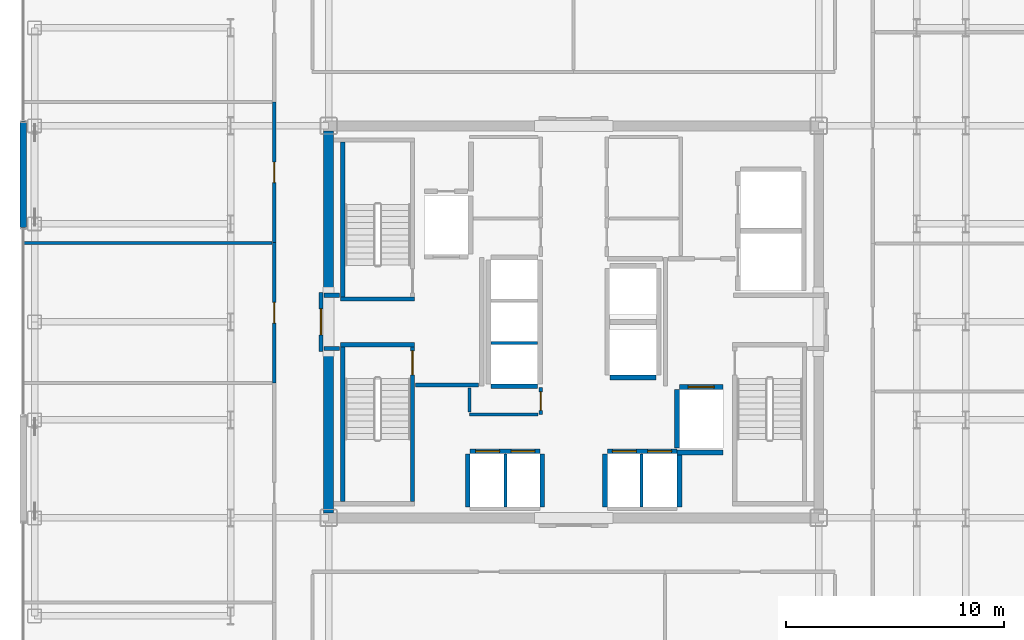
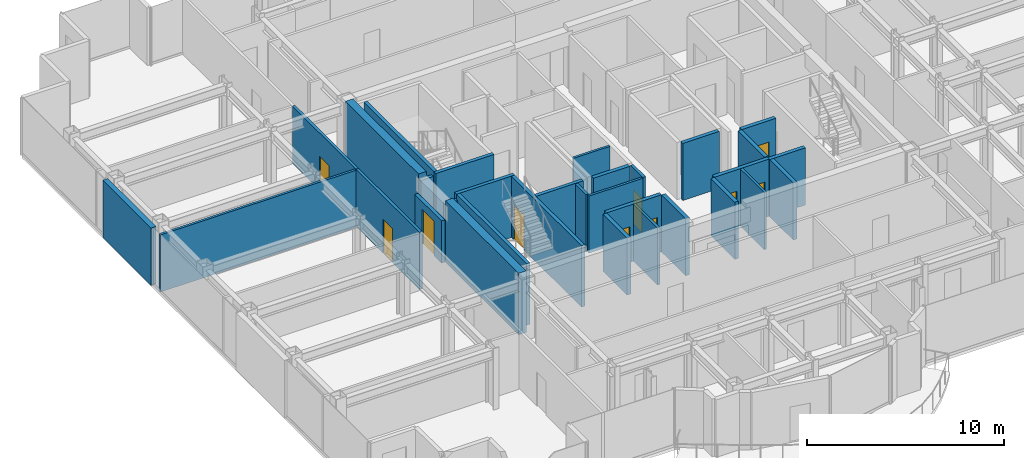
# One storey, part 16 of 22: 32 walls, 10 doors, 10 openings.
"""IFC4 building model written with IfcOpenShell, lengths in metres."""

from ifc_helpers import new_model, si_unit, direction, frame, frame_2d, origin, place, context, subcontext, project, spatial, rectangle, extrude, source, transform, mapped, material, layer, layer_set, type_object, element, fill, save


model = new_model("IFC4")

# Units and contexts
model_context = context("Model", 3, precision=1e-05, world=origin(), true_north=direction((0.0, 1.0)))
body_context = subcontext(model_context, "Body", "Model", "MODEL_VIEW")
ifc_project = project(units=[si_unit("LENGTHUNIT", "METRE"), si_unit("AREAUNIT", "SQUARE_METRE"), si_unit("VOLUMEUNIT", "CUBIC_METRE"), si_unit("PLANEANGLEUNIT", "RADIAN"), si_unit("MASSUNIT", "GRAM", prefix="KILO")], contexts=[model_context])

# Site, building, storey
site_placement = place(None, origin())
site = spatial("IfcSite", under=ifc_project, at=site_placement, CompositionType="ELEMENT")
building_placement = place(site_placement, origin())
building = spatial("IfcBuilding", under=site, at=building_placement, Name="Nefas-Gora Pilgrimage Tower", CompositionType="ELEMENT")
storey_placement = place(building_placement, frame((0.0, 0.0, 218.0)))
storey = spatial("IfcBuildingStorey", under=building, at=storey_placement, Name="L54", CompositionType="ELEMENT", Elevation=218.0)

# Walls
ifc_material_1 = material(Name="Concrete C50/60", Category="concrete")
ifc_layer_1 = layer(ifc_material_1, 0.449951171875)
ifc_layer_set_1 = layer_set([ifc_layer_1], Name="Concrete C50/60")
wall_type_1 = type_object("IfcWallType", Name="SW-CORE-450", PredefinedType="SHEAR", material=ifc_layer_set_1)
shared_shape_1 = source(origin(), body_context, "Body", "SweptSolid", [
    extrude(rectangle(XDim=7.4248046875, YDim=0.449951171875, at=frame_2d((3.71240234375, 0.0))), origin(), (0.0, 0.0, 1.0), 3.800048828125),
])
for number, where, z_axis, x_axis, name in (
    (1, (-11.25, -8.77490234375, 0.0), (0.0, 0.0, 1.0), (0.0, 1.0, 0.0), "L54 Core Shear Wall W-South"),
    (2, (-11.25, 1.35009765625, 0.0), (0.0, 0.0, 1.0), (0.0, 1.0, 0.0), "L54 Core Shear Wall W-North"),
):
    element("IfcWall", number, at=place(storey_placement, frame(where, z_axis=z_axis, x_axis=x_axis)), inside=storey, type_object=wall_type_1, Name=name, PredefinedType="SHEAR", context=body_context, shape_type="MappedRepresentation", body=[
        mapped(shared_shape_1, transform((0.0, 0.0, 0.0), x_axis=(1.0, 0.0, 0.0), y_axis=(0.0, 1.0, 0.0), z_axis=(0.0, 0.0, 1.0), scale=1.0)),
    ])
ifc_material_2 = material(Name="Precast concrete C45/55", Category="concrete")
ifc_layer_2 = layer(ifc_material_2, 0.239990234375)
ifc_layer_set_2 = layer_set([ifc_layer_2], Name="Precast concrete C45/55")
wall_type_2 = type_object("IfcWallType", Name="EW-SERR-240", PredefinedType="SHEAR", material=ifc_layer_set_2)
shared_shape_2 = source(origin(), body_context, "Body", "SweptSolid", [
    extrude(rectangle(XDim=4.8798828125, YDim=0.300048828125, at=frame_2d((2.43994140625, 0.0))), origin(), (0.0, 0.0, 1.0), 3.550048828125),
])
wall_1_placement = place(storey_placement, frame((-25.27001953125, 4.31005859375, 0.0), z_axis=(0.0, 0.0, 1.0), x_axis=(0.0, 1.0, 0.0)))
element("IfcWall", 3, at=wall_1_placement, inside=storey, type_object=wall_type_2, Name="L54 Braced-Tube Precast Shear Cladding 2", PredefinedType="SHEAR", context=body_context, shape_type="MappedRepresentation", body=[
    mapped(shared_shape_2, transform((0.0, 0.0, 0.0), x_axis=(1.0, 0.0, 0.0), y_axis=(0.0, 1.0, 0.0), z_axis=(0.0, 0.0, 1.0), scale=1.0)),
])
ifc_material_3 = material(Name="Concrete C45/55", Category="concrete")
ifc_layer_3 = layer(ifc_material_3, 0.199951171875)
ifc_layer_set_3 = layer_set([ifc_layer_3], Name="Concrete C45/55")
wall_type_3 = type_object("IfcWallType", Name="IW-STAIR-200", PredefinedType="SOLIDWALL", material=ifc_layer_set_3)
shared_shape_3 = source(origin(), body_context, "Body", "SweptSolid", [
    extrude(rectangle(XDim=3.39990234375, YDim=0.199951171875, at=frame_2d((1.699951171875, 0.0))), origin(), (0.0, 0.0, 1.0), 3.800048828125),
])
for number, where, z_axis, x_axis, name in (
    (4, (-7.300048828125, 1.050048828125, 0.0), (0.0, 0.0, 1.0), (-1.0, 0.0, 0.0), "L54 Stairwell Shear Wall ST-01-near"),
    (5, (-10.699951171875, -1.050048828125, 0.0), (0.0, 0.0, 1.0), (1.0, 0.0, 0.0), "L54 Stairwell Shear Wall ST-03-near"),
):
    element("IfcWall", number, at=place(storey_placement, frame(where, z_axis=z_axis, x_axis=x_axis)), inside=storey, type_object=wall_type_3, Name=name, PredefinedType="SOLIDWALL", context=body_context, shape_type="MappedRepresentation", body=[
        mapped(shared_shape_3, transform((0.0, 0.0, 0.0), x_axis=(1.0, 0.0, 0.0), y_axis=(0.0, 1.0, 0.0), z_axis=(0.0, 0.0, 1.0), scale=1.0)),
    ])
shared_shape_4 = source(origin(), body_context, "Body", "SweptSolid", [
    extrude(rectangle(XDim=7.10009765625, YDim=0.199951171875, at=frame_2d((3.550048828125, 0.0))), origin(), (0.0, 0.0, 1.0), 3.800048828125),
])
for number, where, z_axis, x_axis, name in (
    (6, (-10.60009765625, 1.14990234375, 0.0), (0.0, 0.0, 1.0), (0.0, 1.0, 0.0), "L54 Stairwell Shear Wall ST-01-right"),
    (7, (-10.60009765625, -1.14990234375, 0.0), (0.0, 0.0, 1.0), (0.0, -1.0, 0.0), "L54 Stairwell Shear Wall ST-03-left"),
):
    element("IfcWall", number, at=place(storey_placement, frame(where, z_axis=z_axis, x_axis=x_axis)), inside=storey, type_object=wall_type_3, Name=name, PredefinedType="SOLIDWALL", context=body_context, shape_type="MappedRepresentation", body=[
        mapped(shared_shape_4, transform((0.0, 0.0, 0.0), x_axis=(1.0, 0.0, 0.0), y_axis=(0.0, 1.0, 0.0), z_axis=(0.0, 0.0, 1.0), scale=1.0)),
    ])

# Wall, opening, door
wall_2_placement = place(storey_placement, frame((-7.39990234375, -1.14990234375, 0.0), z_axis=(0.0, 0.0, 1.0), x_axis=(0.0, -1.0, 0.0)))
wall_2 = element("IfcWall", 8, at=wall_2_placement, inside=storey, type_object=wall_type_3, Name="L54 Stairwell Shear Wall ST-03-right", PredefinedType="SOLIDWALL", context=body_context, shape_type="MappedRepresentation", body=[
    mapped(shared_shape_4, transform((0.0, 0.0, 0.0), x_axis=(1.0, 0.0, 0.0), y_axis=(0.0, 1.0, 0.0), z_axis=(0.0, 0.0, 1.0), scale=1.0)),
])
opening_1_placement = place(wall_2_placement, frame((0.179931640625, 0.0, 0.0)))
opening_1 = element("IfcOpeningElement", 9, at=opening_1_placement, cuts=wall_2, Name="Opening ID-ST1", PredefinedType="OPENING", context=body_context, shape_type="SweptSolid", body=[
    extrude(rectangle(XDim=1.10009765625, YDim=2.14990234375, at=frame_2d((0.550048828125, 1.074951171875))), frame((0.0, 0.10986328125, 0.0), z_axis=(0.0, -1.0, 0.0), x_axis=(1.0, 0.0, 0.0)), (0.0, 0.0, 1.0), 0.219970703125),
])
ifc_material_4 = material(Name="Painted galvanised steel fire stair door", Category="steel")
door_type_1 = type_object("IfcDoorType", Name="DR-INT-STAIR-1100", OperationType="NOTDEFINED", PredefinedType="DOOR", material=ifc_material_4)
shared_shape_5 = source(origin(), body_context, "Body", "SweptSolid", [
    extrude(rectangle(XDim=1.10009765625, YDim=2.14990234375, at=frame_2d((0.550048828125, 1.074951171875))), frame((0.0, 0.02490234375, 0.0), z_axis=(0.0, -1.0, 0.0), x_axis=(1.0, 0.0, 0.0)), (0.0, 0.0, 1.0), 0.050048828125),
])
door_1_placement = place(opening_1_placement, origin())
door_1 = element("IfcDoor", 10, at=door_1_placement, inside=storey, type_object=door_type_1, Name="L54 Protected Exit Stair Door ST-03", OperationType="SINGLE_SWING_RIGHT", OverallHeight=2.14990234375, OverallWidth=1.10009765625, PredefinedType="DOOR", context=body_context, shape_type="MappedRepresentation", body=[
    mapped(shared_shape_5, transform((0.0, 0.0, 0.0), x_axis=(1.0, 0.0, 0.0), y_axis=(0.0, 1.0, 0.0), z_axis=(0.0, 0.0, 1.0), scale=1.0)),
])
fill(opening_1, door_1)

ifc_material_5 = material(Name="Concrete C40/50", Category="concrete")
ifc_layer_4 = layer(ifc_material_5, 0.219970703125)
ifc_layer_set_4 = layer_set([ifc_layer_4], Name="Concrete C40/50")
wall_type_4 = type_object("IfcWallType", Name="IW-SHAFT-220", PredefinedType="SOLIDWALL", material=ifc_layer_set_4)
shared_shape_6 = source(origin(), body_context, "Body", "SweptSolid", [
    extrude(rectangle(XDim=2.0, YDim=0.219970703125, at=frame_2d((1.0, 0.0))), origin(), (0.0, 0.0, 1.0), 3.534912109375),
])
wall_3_placement = place(storey_placement, frame((6.85009765625, -2.989990234375, 0.0), z_axis=(0.0, 0.0, 1.0), x_axis=(-1.0, 0.0, 0.0)))
wall_3 = element("IfcWall", 11, at=wall_3_placement, inside=storey, type_object=wall_type_4, Name="L54 Hoistway Wall FFL-02-N", PredefinedType="SOLIDWALL", context=body_context, shape_type="MappedRepresentation", body=[
    mapped(shared_shape_6, transform((0.0, 0.0, 0.0), x_axis=(1.0, 0.0, 0.0), y_axis=(0.0, 1.0, 0.0), z_axis=(0.0, 0.0, 1.0), scale=1.0)),
])
opening_2_placement = place(wall_3_placement, frame((0.39990234375, 0.0, 0.0)))
opening_2 = element("IfcOpeningElement", 12, at=opening_2_placement, cuts=wall_3, Name="Opening LD-FF", PredefinedType="OPENING", context=body_context, shape_type="SweptSolid", body=[
    extrude(rectangle(XDim=1.199951171875, YDim=2.199951171875, at=frame_2d((0.60009765625, 1.10009765625))), frame((0.0, 0.119873046875, 0.0), z_axis=(0.0, -1.0, 0.0), x_axis=(1.0, 0.0, 0.0)), (0.0, 0.0, 1.0), 0.239990234375),
])
ifc_material_6 = material(Name="Fire-service sliding lift landing door")
door_type_2 = type_object("IfcDoorType", Name="DR-LIFT-FSAE-1200", OperationType="SLIDING_TO_LEFT", PredefinedType="DOOR", material=ifc_material_6)
shared_shape_7 = source(origin(), body_context, "Body", "SweptSolid", [
    extrude(rectangle(XDim=1.199951171875, YDim=2.199951171875, at=frame_2d((0.60009765625, 1.10009765625))), frame((0.0, 0.02490234375, 0.0), z_axis=(0.0, -1.0, 0.0), x_axis=(1.0, 0.0, 0.0)), (0.0, 0.0, 1.0), 0.050048828125),
])
door_2_placement = place(opening_2_placement, origin())
door_2 = element("IfcDoor", 13, at=door_2_placement, inside=storey, type_object=door_type_2, Name="L54 Sliding Lift Landing Door FFL-02", OperationType="SLIDING_TO_LEFT", OverallHeight=2.199951171875, OverallWidth=1.199951171875, PredefinedType="DOOR", context=body_context, shape_type="MappedRepresentation", body=[
    mapped(shared_shape_7, transform((0.0, 0.0, 0.0), x_axis=(1.0, 0.0, 0.0), y_axis=(0.0, 1.0, 0.0), z_axis=(0.0, 0.0, 1.0), scale=1.0)),
])
fill(opening_2, door_2)

# Wall
shared_shape_8 = source(origin(), body_context, "Body", "SweptSolid", [
    extrude(rectangle(XDim=2.679931640625, YDim=0.219970703125, at=frame_2d((1.33984375, 0.0))), origin(), (0.0, 0.0, 1.0), 3.534912109375),
])
wall_4_placement = place(storey_placement, frame((4.739990234375, -3.110107421875, 0.0), z_axis=(0.0, 0.0, 1.0), x_axis=(0.0, -1.0, 0.0)))
element("IfcWall", 14, at=wall_4_placement, inside=storey, type_object=wall_type_4, Name="L54 Hoistway Wall FFL-02-W", PredefinedType="SOLIDWALL", context=body_context, shape_type="MappedRepresentation", body=[
    mapped(shared_shape_8, transform((0.0, 0.0, 0.0), x_axis=(1.0, 0.0, 0.0), y_axis=(0.0, 1.0, 0.0), z_axis=(0.0, 0.0, 1.0), scale=1.0)),
])

# Wall, openings, doors
shared_shape_9 = source(origin(), body_context, "Body", "SweptSolid", [
    extrude(rectangle(XDim=3.199951171875, YDim=0.219970703125, at=frame_2d((1.60009765625, 0.0))), origin(), (0.0, 0.0, 1.0), 3.534912109375),
])
wall_5_placement = place(storey_placement, frame((-1.550048828125, -5.93994140625, 0.0), z_axis=(0.0, 0.0, 1.0), x_axis=(-1.0, 0.0, 0.0)))
wall_5 = element("IfcWall", 15, at=wall_5_placement, inside=storey, type_object=wall_type_4, Name="L54 Hoistway Wall PL2-W-N", PredefinedType="SOLIDWALL", context=body_context, shape_type="MappedRepresentation", body=[
    mapped(shared_shape_9, transform((0.0, 0.0, 0.0), x_axis=(1.0, 0.0, 0.0), y_axis=(0.0, 1.0, 0.0), z_axis=(0.0, 0.0, 1.0), scale=1.0)),
])
opening_3_placement = place(wall_5_placement, frame((1.85009765625, 0.0, 0.0)))
opening_3 = element("IfcOpeningElement", 16, at=opening_3_placement, cuts=wall_5, Name="Opening LD-01", PredefinedType="OPENING", context=body_context, shape_type="SweptSolid", body=[
    extrude(rectangle(XDim=1.10009765625, YDim=2.199951171875, at=frame_2d((0.550048828125, 1.10009765625))), frame((0.0, 0.119873046875, 0.0), z_axis=(0.0, -1.0, 0.0), x_axis=(1.0, 0.0, 0.0)), (0.0, 0.0, 1.0), 0.239990234375),
])
opening_4_placement = place(wall_5_placement, frame((0.22509765625, 0.0, 0.0)))
opening_4 = element("IfcOpeningElement", 17, at=opening_4_placement, cuts=wall_5, Name="Opening LD-01", PredefinedType="OPENING", context=body_context, shape_type="SweptSolid", body=[
    extrude(rectangle(XDim=1.10009765625, YDim=2.199951171875, at=frame_2d((0.550048828125, 1.10009765625))), frame((0.0, 0.119873046875, 0.0), z_axis=(0.0, -1.0, 0.0), x_axis=(1.0, 0.0, 0.0)), (0.0, 0.0, 1.0), 0.239990234375),
])
ifc_material_7 = material(Name="Brushed stainless sliding lift landing door")
door_type_3 = type_object("IfcDoorType", Name="DR-LIFT-PASS-1100", OperationType="DOUBLE_DOOR_SLIDING", PredefinedType="DOOR", material=ifc_material_7)
shared_shape_10 = source(origin(), body_context, "Body", "SweptSolid", [
    extrude(rectangle(XDim=1.10009765625, YDim=2.199951171875, at=frame_2d((0.550048828125, 1.10009765625))), frame((0.0, 0.02490234375, 0.0), z_axis=(0.0, -1.0, 0.0), x_axis=(1.0, 0.0, 0.0)), (0.0, 0.0, 1.0), 0.050048828125),
])
door_3_placement = place(opening_3_placement, origin())
door_3 = element("IfcDoor", 18, at=door_3_placement, inside=storey, type_object=door_type_3, Name="L54 Sliding Lift Landing Door PL2-01", OperationType="DOUBLE_DOOR_SLIDING", OverallHeight=2.199951171875, OverallWidth=1.10009765625, PredefinedType="DOOR", context=body_context, shape_type="MappedRepresentation", body=[
    mapped(shared_shape_10, transform((0.0, 0.0, 0.0), x_axis=(1.0, 0.0, 0.0), y_axis=(0.0, 1.0, 0.0), z_axis=(0.0, 0.0, 1.0), scale=1.0)),
])
fill(opening_3, door_3)
door_4_placement = place(opening_4_placement, origin())
door_4 = element("IfcDoor", 19, at=door_4_placement, inside=storey, type_object=door_type_3, Name="L54 Sliding Lift Landing Door PL2-02", OperationType="DOUBLE_DOOR_SLIDING", OverallHeight=2.199951171875, OverallWidth=1.10009765625, PredefinedType="DOOR", context=body_context, shape_type="MappedRepresentation", body=[
    mapped(shared_shape_10, transform((0.0, 0.0, 0.0), x_axis=(1.0, 0.0, 0.0), y_axis=(0.0, 1.0, 0.0), z_axis=(0.0, 0.0, 1.0), scale=1.0)),
])
fill(opening_4, door_4)

wall_6_placement = place(storey_placement, frame((4.75, -5.93994140625, 0.0), z_axis=(0.0, 0.0, 1.0), x_axis=(-1.0, 0.0, 0.0)))
wall_6 = element("IfcWall", 20, at=wall_6_placement, inside=storey, type_object=wall_type_4, Name="L54 Hoistway Wall PL2-E-N", PredefinedType="SOLIDWALL", context=body_context, shape_type="MappedRepresentation", body=[
    mapped(shared_shape_9, transform((0.0, 0.0, 0.0), x_axis=(1.0, 0.0, 0.0), y_axis=(0.0, 1.0, 0.0), z_axis=(0.0, 0.0, 1.0), scale=1.0)),
])
opening_5_placement = place(wall_6_placement, frame((1.875, 0.0, 0.0)))
opening_5 = element("IfcOpeningElement", 21, at=opening_5_placement, cuts=wall_6, Name="Opening LD-01", PredefinedType="OPENING", context=body_context, shape_type="SweptSolid", body=[
    extrude(rectangle(XDim=1.10009765625, YDim=2.199951171875, at=frame_2d((0.550048828125, 1.10009765625))), frame((0.0, 0.119873046875, 0.0), z_axis=(0.0, -1.0, 0.0), x_axis=(1.0, 0.0, 0.0)), (0.0, 0.0, 1.0), 0.239990234375),
])
opening_6_placement = place(wall_6_placement, frame((0.25, 0.0, 0.0)))
opening_6 = element("IfcOpeningElement", 22, at=opening_6_placement, cuts=wall_6, Name="Opening LD-01", PredefinedType="OPENING", context=body_context, shape_type="SweptSolid", body=[
    extrude(rectangle(XDim=1.10009765625, YDim=2.199951171875, at=frame_2d((0.550048828125, 1.10009765625))), frame((0.0, 0.119873046875, 0.0), z_axis=(0.0, -1.0, 0.0), x_axis=(1.0, 0.0, 0.0)), (0.0, 0.0, 1.0), 0.239990234375),
])
door_5_placement = place(opening_5_placement, origin())
door_5 = element("IfcDoor", 23, at=door_5_placement, inside=storey, type_object=door_type_3, Name="L54 Sliding Lift Landing Door PL2-03", OperationType="DOUBLE_DOOR_SLIDING", OverallHeight=2.199951171875, OverallWidth=1.10009765625, PredefinedType="DOOR", context=body_context, shape_type="MappedRepresentation", body=[
    mapped(shared_shape_10, transform((0.0, 0.0, 0.0), x_axis=(1.0, 0.0, 0.0), y_axis=(0.0, 1.0, 0.0), z_axis=(0.0, 0.0, 1.0), scale=1.0)),
])
fill(opening_5, door_5)
door_6_placement = place(opening_6_placement, origin())
door_6 = element("IfcDoor", 24, at=door_6_placement, inside=storey, type_object=door_type_3, Name="L54 Sliding Lift Landing Door PL2-04", OperationType="DOUBLE_DOOR_SLIDING", OverallHeight=2.199951171875, OverallWidth=1.10009765625, PredefinedType="DOOR", context=body_context, shape_type="MappedRepresentation", body=[
    mapped(shared_shape_10, transform((0.0, 0.0, 0.0), x_axis=(1.0, 0.0, 0.0), y_axis=(0.0, 1.0, 0.0), z_axis=(0.0, 0.0, 1.0), scale=1.0)),
])
fill(opening_6, door_6)

# Walls
shared_shape_11 = source(origin(), body_context, "Body", "SweptSolid", [
    extrude(rectangle(XDim=2.429931640625, YDim=0.219970703125, at=frame_2d((1.21484375, 0.0))), origin(), (0.0, 0.0, 1.0), 3.534912109375),
])
for number, where, z_axis, x_axis, name in (
    (25, (-4.860107421875, -6.06005859375, 0.0), (0.0, 0.0, 1.0), (0.0, -1.0, 0.0), "L54 Hoistway Wall PL2-W-W"),
    (26, (-1.43994140625, -8.489990234375, 0.0), (0.0, 0.0, 1.0), (0.0, 1.0, 0.0), "L54 Hoistway Wall PL2-W-E"),
    (27, (1.43994140625, -6.06005859375, 0.0), (0.0, 0.0, 1.0), (0.0, -1.0, 0.0), "L54 Hoistway Wall PL2-E-W"),
    (28, (4.860107421875, -8.489990234375, 0.0), (0.0, 0.0, 1.0), (0.0, 1.0, 0.0), "L54 Hoistway Wall PL2-E-E"),
):
    element("IfcWall", number, at=place(storey_placement, frame(where, z_axis=z_axis, x_axis=x_axis)), inside=storey, type_object=wall_type_4, Name=name, PredefinedType="SOLIDWALL", context=body_context, shape_type="MappedRepresentation", body=[
        mapped(shared_shape_11, transform((0.0, 0.0, 0.0), x_axis=(1.0, 0.0, 0.0), y_axis=(0.0, 1.0, 0.0), z_axis=(0.0, 0.0, 1.0), scale=1.0)),
    ])
ifc_material_8 = material(Name="Gypsum twin-stud partition")
ifc_layer_5 = layer(ifc_material_8, 0.139892578125)
ifc_layer_set_5 = layer_set([ifc_layer_5], Name="Gypsum twin-stud partition")
wall_type_5 = type_object("IfcWallType", Name="IW-UNIT-140", PredefinedType="PARTITIONING", material=ifc_layer_set_5)
shared_shape_12 = source(origin(), body_context, "Body", "SweptSolid", [
    extrude(rectangle(XDim=2.429931640625, YDim=0.139892578125, at=frame_2d((1.21484375, 0.0))), origin(), (0.0, 0.0, 1.0), 3.534912109375),
])
for number, where, z_axis, x_axis, name in (
    (29, (-3.125, -8.489990234375, 0.0), (0.0, 0.0, 1.0), (0.0, 1.0, 0.0), "L54 Hoistway Wall PL2-W-DIV"),
    (30, (3.125, -8.489990234375, 0.0), (0.0, 0.0, 1.0), (0.0, 1.0, 0.0), "L54 Hoistway Wall PL2-E-DIV"),
):
    element("IfcWall", number, at=place(storey_placement, frame(where, z_axis=z_axis, x_axis=x_axis)), inside=storey, type_object=wall_type_5, Name=name, PredefinedType="PARTITIONING", context=body_context, shape_type="MappedRepresentation", body=[
        mapped(shared_shape_12, transform((0.0, 0.0, 0.0), x_axis=(1.0, 0.0, 0.0), y_axis=(0.0, 1.0, 0.0), z_axis=(0.0, 0.0, 1.0), scale=1.0)),
    ])
shared_shape_13 = source(origin(), body_context, "Body", "SweptSolid", [
    extrude(rectangle(XDim=2.130126953125, YDim=0.219970703125, at=frame_2d((1.06494140625, 0.0))), origin(), (0.0, 0.0, 1.0), 3.534912109375),
])
for number, where, z_axis, x_axis, name in (
    (31, (-3.7900390625, -2.9599609375, 0.0), (0.0, 0.0, 1.0), (1.0, 0.0, 0.0), "L54 Hoistway Wall PL3-01-S"),
    (32, (1.659912109375, -2.56005859375, 0.0), (0.0, 0.0, 1.0), (1.0, 0.0, 0.0), "L54 Hoistway Wall OBS-01-S"),
):
    element("IfcWall", number, at=place(storey_placement, frame(where, z_axis=z_axis, x_axis=x_axis)), inside=storey, type_object=wall_type_4, Name=name, PredefinedType="SOLIDWALL", context=body_context, shape_type="MappedRepresentation", body=[
        mapped(shared_shape_13, transform((0.0, 0.0, 0.0), x_axis=(1.0, 0.0, 0.0), y_axis=(0.0, 1.0, 0.0), z_axis=(0.0, 0.0, 1.0), scale=1.0)),
    ])
shared_shape_14 = source(origin(), body_context, "Body", "SweptSolid", [
    extrude(rectangle(XDim=2.130126953125, YDim=0.139892578125, at=frame_2d((1.06494140625, 0.0))), origin(), (0.0, 0.0, 1.0), 3.534912109375),
])
wall_7_placement = place(storey_placement, frame((-3.7900390625, -0.97509765625, 0.0), z_axis=(0.0, 0.0, 1.0), x_axis=(1.0, 0.0, 0.0)))
element("IfcWall", 33, at=wall_7_placement, inside=storey, type_object=wall_type_5, Name="L54 Hoistway Wall PL3-01-02-DIV", PredefinedType="PARTITIONING", context=body_context, shape_type="MappedRepresentation", body=[
    mapped(shared_shape_14, transform((0.0, 0.0, 0.0), x_axis=(1.0, 0.0, 0.0), y_axis=(0.0, 1.0, 0.0), z_axis=(0.0, 0.0, 1.0), scale=1.0)),
])
shared_shape_15 = source(origin(), body_context, "Body", "SweptSolid", [
    extrude(rectangle(XDim=2.09521484375, YDim=0.219970703125, at=frame_2d((1.047607421875, 0.0))), origin(), (0.0, 0.0, 1.0), 3.534912109375),
])
wall_8_placement = place(storey_placement, frame((4.7548828125, -6.0, 0.0), z_axis=(0.0, 0.0, 1.0), x_axis=(1.0, 0.0, 0.0)))
element("IfcWall", 34, at=wall_8_placement, inside=storey, type_object=wall_type_4, Name="L54 Riser Shaft Wall 3", PredefinedType="SOLIDWALL", context=body_context, shape_type="MappedRepresentation", body=[
    mapped(shared_shape_15, transform((0.0, 0.0, 0.0), x_axis=(1.0, 0.0, 0.0), y_axis=(0.0, 1.0, 0.0), z_axis=(0.0, 0.0, 1.0), scale=1.0)),
])
ifc_material_9 = material(Name="Gypsum fire-rated shaftwall")
ifc_layer_6 = layer(ifc_material_9, 0.199951171875)
ifc_layer_set_6 = layer_set([ifc_layer_6], Name="Gypsum fire-rated shaftwall")
wall_type_6 = type_object("IfcWallType", Name="IW-FFLOB-200", PredefinedType="PARTITIONING", material=ifc_layer_set_6)
shared_shape_16 = source(origin(), body_context, "Body", "SweptSolid", [
    extrude(rectangle(XDim=2.89990234375, YDim=0.199951171875, at=frame_2d((1.449951171875, 0.0))), origin(), (0.0, 0.0, 1.0), 3.534912109375),
])
wall_9_placement = place(storey_placement, frame((-7.260009765625, -2.89990234375, 0.0), z_axis=(0.0, 0.0, 1.0), x_axis=(1.0, 0.0, 0.0)))
element("IfcWall", 35, at=wall_9_placement, inside=storey, type_object=wall_type_6, Name="L54 FF Lobby West South Wall Wall 6", PredefinedType="PARTITIONING", context=body_context, shape_type="MappedRepresentation", body=[
    mapped(shared_shape_16, transform((0.0, 0.0, 0.0), x_axis=(1.0, 0.0, 0.0), y_axis=(0.0, 1.0, 0.0), z_axis=(0.0, 0.0, 1.0), scale=1.0)),
])
shared_shape_17 = source(origin(), body_context, "Body", "SweptSolid", [
    extrude(rectangle(XDim=0.719970703125, YDim=0.199951171875, at=frame_2d((0.35986328125, 0.0))), origin(), (0.0, 0.0, 1.0), 3.534912109375),
])
for number, where, z_axis, x_axis, name in (
    (36, (-11.4599609375, 1.219970703125, 0.0), (0.0, 0.0, 1.0), (1.0, 0.0, 0.0), "L54 FF Lobby West Throat N Wall 7"),
    (37, (-11.4599609375, -1.219970703125, 0.0), (0.0, 0.0, 1.0), (1.0, 0.0, 0.0), "L54 FF Lobby West Throat S Wall 8"),
):
    element("IfcWall", number, at=place(storey_placement, frame(where, z_axis=z_axis, x_axis=x_axis)), inside=storey, type_object=wall_type_6, Name=name, PredefinedType="PARTITIONING", context=body_context, shape_type="MappedRepresentation", body=[
        mapped(shared_shape_17, transform((0.0, 0.0, 0.0), x_axis=(1.0, 0.0, 0.0), y_axis=(0.0, 1.0, 0.0), z_axis=(0.0, 0.0, 1.0), scale=1.0)),
    ])

# Wall, opening, door
ifc_material_10 = material(Name="Gypsum acoustic stud partition")
ifc_layer_7 = layer(ifc_material_10, 0.159912109375)
ifc_layer_set_7 = layer_set([ifc_layer_7], Name="Gypsum acoustic stud partition")
wall_type_7 = type_object("IfcWallType", Name="IW-CORR-160", PredefinedType="PARTITIONING", material=ifc_layer_set_7)
shared_shape_18 = source(origin(), body_context, "Body", "SweptSolid", [
    extrude(rectangle(XDim=1.25, YDim=0.159912109375, at=frame_2d((0.625, 0.0))), origin(), (0.0, 0.0, 1.0), 3.534912109375),
])
wall_10_placement = place(storey_placement, frame((-1.52001953125, -4.260009765625, 0.0), z_axis=(0.0, 0.0, 1.0), x_axis=(0.0, 1.0, 0.0)))
wall_10 = element("IfcWall", 38, at=wall_10_placement, inside=storey, type_object=wall_type_7, Name="L54 Guest Self-Service Laundry Room Wall 26", PredefinedType="PARTITIONING", context=body_context, shape_type="MappedRepresentation", body=[
    mapped(shared_shape_18, transform((0.0, 0.0, 0.0), x_axis=(1.0, 0.0, 0.0), y_axis=(0.0, 1.0, 0.0), z_axis=(0.0, 0.0, 1.0), scale=1.0)),
])
opening_7_placement = place(wall_10_placement, frame((0.199951171875, 0.0, 0.0)))
opening_7 = element("IfcOpeningElement", 39, at=opening_7_placement, cuts=wall_10, Name="Opening ID-BT1", PredefinedType="OPENING", context=body_context, shape_type="SweptSolid", body=[
    extrude(rectangle(XDim=0.85009765625, YDim=2.10009765625, at=frame_2d((0.425048828125, 1.050048828125))), frame((0.0, 0.08984375, 0.0), z_axis=(0.0, -1.0, 0.0), x_axis=(1.0, 0.0, 0.0)), (0.0, 0.0, 1.0), 0.179931640625),
])
ifc_material_11 = material(Name="Moisture-resistant fire-rated timber door", Category="wood")
door_type_4 = type_object("IfcDoorType", Name="DR-INT-BATH-850", OperationType="NOTDEFINED", PredefinedType="DOOR", material=ifc_material_11)
shared_shape_19 = source(origin(), body_context, "Body", "SweptSolid", [
    extrude(rectangle(XDim=0.85009765625, YDim=2.10009765625, at=frame_2d((0.425048828125, 1.050048828125))), frame((0.0, 0.02490234375, 0.0), z_axis=(0.0, -1.0, 0.0), x_axis=(1.0, 0.0, 0.0)), (0.0, 0.0, 1.0), 0.050048828125),
])
door_7_placement = place(opening_7_placement, origin())
door_7 = element("IfcDoor", 40, at=door_7_placement, inside=storey, type_object=door_type_4, Name="L54 Guest Self-Service Laundry Room Door 11", OperationType="SINGLE_SWING_LEFT", OverallHeight=2.10009765625, OverallWidth=0.85009765625, PredefinedType="DOOR", context=body_context, shape_type="MappedRepresentation", body=[
    mapped(shared_shape_19, transform((0.0, 0.0, 0.0), x_axis=(1.0, 0.0, 0.0), y_axis=(0.0, 1.0, 0.0), z_axis=(0.0, 0.0, 1.0), scale=1.0)),
])
fill(opening_7, door_7)

# Walls
shared_shape_20 = source(origin(), body_context, "Body", "SweptSolid", [
    extrude(rectangle(XDim=3.150146484375, YDim=0.139892578125, at=frame_2d((1.5751953125, 0.0))), origin(), (0.0, 0.0, 1.0), 3.534912109375),
])
wall_11_placement = place(storey_placement, frame((-4.7900390625, -4.25, 0.0), z_axis=(0.0, 0.0, 1.0), x_axis=(1.0, 0.0, 0.0)))
element("IfcWall", 41, at=wall_11_placement, inside=storey, type_object=wall_type_5, Name="L54 Guest Self-Service Laundry Room Partition Wall 27", PredefinedType="PARTITIONING", context=body_context, shape_type="MappedRepresentation", body=[
    mapped(shared_shape_20, transform((0.0, 0.0, 0.0), x_axis=(1.0, 0.0, 0.0), y_axis=(0.0, 1.0, 0.0), z_axis=(0.0, 0.0, 1.0), scale=1.0)),
])
shared_shape_21 = source(origin(), body_context, "Body", "SweptSolid", [
    extrude(rectangle(XDim=1.099853515625, YDim=0.139892578125, at=frame_2d((0.5498046875, 0.0))), origin(), (0.0, 0.0, 1.0), 3.534912109375),
])
wall_12_placement = place(storey_placement, frame((-4.780029296875, -4.139892578125, 0.0), z_axis=(0.0, 0.0, 1.0), x_axis=(0.0, 1.0, 0.0)))
element("IfcWall", 42, at=wall_12_placement, inside=storey, type_object=wall_type_5, Name="L54 Guest Self-Service Laundry Room Partition Wall 28", PredefinedType="PARTITIONING", context=body_context, shape_type="MappedRepresentation", body=[
    mapped(shared_shape_21, transform((0.0, 0.0, 0.0), x_axis=(1.0, 0.0, 0.0), y_axis=(0.0, 1.0, 0.0), z_axis=(0.0, 0.0, 1.0), scale=1.0)),
])
shared_shape_22 = source(origin(), body_context, "Body", "SweptSolid", [
    extrude(rectangle(XDim=11.429931640625, YDim=0.139892578125, at=frame_2d((5.71484375, 0.0))), origin(), (0.0, 0.0, 1.0), 3.534912109375),
])
wall_13_placement = place(storey_placement, frame((-25.2900390625, 3.63134765625, 0.0), z_axis=(0.0, 0.0, 1.0), x_axis=(1.0, 0.0, 0.0)))
element("IfcWall", 43, at=wall_13_placement, inside=storey, type_object=wall_type_5, Name="L54 Pilgrim Tea and Beverage Pantry Partition Wall 39", PredefinedType="PARTITIONING", context=body_context, shape_type="MappedRepresentation", body=[
    mapped(shared_shape_22, transform((0.0, 0.0, 0.0), x_axis=(1.0, 0.0, 0.0), y_axis=(0.0, 1.0, 0.0), z_axis=(0.0, 0.0, 1.0), scale=1.0)),
])

# Wall, opening, door
shared_shape_23 = source(origin(), body_context, "Body", "SweptSolid", [
    extrude(rectangle(XDim=2.7001953125, YDim=0.199951171875, at=frame_2d((1.35009765625, 0.0))), origin(), (0.0, 0.0, 1.0), 2.625),
])
wall_14_placement = place(storey_placement, frame((-11.60009765625, -1.35009765625, 0.0), z_axis=(0.0, 0.0, 1.0), x_axis=(0.0, 1.0, 0.0)))
wall_14 = element("IfcWall", 44, at=wall_14_placement, inside=storey, type_object=wall_type_6, Name="L54 FF Lobby West Portal Wall 4", PredefinedType="PARTITIONING", context=body_context, shape_type="MappedRepresentation", body=[
    mapped(shared_shape_23, transform((0.0, 0.0, 0.0), x_axis=(1.0, 0.0, 0.0), y_axis=(0.0, 1.0, 0.0), z_axis=(0.0, 0.0, 1.0), scale=1.0)),
])
opening_8_placement = place(wall_14_placement, frame((0.75, 0.0, 0.0)))
opening_8 = element("IfcOpeningElement", 45, at=opening_8_placement, cuts=wall_14, Name="Opening ID-FF1", PredefinedType="OPENING", context=body_context, shape_type="SweptSolid", body=[
    extrude(rectangle(XDim=1.199951171875, YDim=2.14990234375, at=frame_2d((0.60009765625, 1.074951171875))), frame((0.0, 0.10986328125, 0.0), z_axis=(0.0, -1.0, 0.0), x_axis=(1.0, 0.0, 0.0)), (0.0, 0.0, 1.0), 0.219970703125),
])
ifc_material_12 = material(Name="Smoke-sealed steel firefighting lobby door", Category="steel")
door_type_5 = type_object("IfcDoorType", Name="DR-INT-FFLOB-1200", OperationType="NOTDEFINED", PredefinedType="DOOR", material=ifc_material_12)
shared_shape_24 = source(origin(), body_context, "Body", "SweptSolid", [
    extrude(rectangle(XDim=1.199951171875, YDim=2.14990234375, at=frame_2d((0.60009765625, 1.074951171875))), frame((0.0, 0.02490234375, 0.0), z_axis=(0.0, -1.0, 0.0), x_axis=(1.0, 0.0, 0.0)), (0.0, 0.0, 1.0), 0.050048828125),
])
door_8_placement = place(opening_8_placement, origin())
door_8 = element("IfcDoor", 46, at=door_8_placement, inside=storey, type_object=door_type_5, Name="L54 FF Lobby West Portal Door 2", OperationType="SINGLE_SWING_RIGHT", OverallHeight=2.14990234375, OverallWidth=1.199951171875, PredefinedType="DOOR", context=body_context, shape_type="MappedRepresentation", body=[
    mapped(shared_shape_24, transform((0.0, 0.0, 0.0), x_axis=(1.0, 0.0, 0.0), y_axis=(0.0, 1.0, 0.0), z_axis=(0.0, 0.0, 1.0), scale=1.0)),
])
fill(opening_8, door_8)

shared_shape_25 = source(origin(), body_context, "Body", "SweptSolid", [
    extrude(rectangle(XDim=6.4462890625, YDim=0.159912109375, at=frame_2d((3.22314453125, 0.0))), origin(), (0.0, 0.0, 1.0), 3.534912109375),
])
wall_15_placement = place(storey_placement, frame((-13.739990234375, -2.804931640625, 0.0), z_axis=(0.0, 0.0, 1.0), x_axis=(0.0, 1.0, 0.0)))
wall_15 = element("IfcWall", 47, at=wall_15_placement, inside=storey, type_object=wall_type_7, Name="L54 Pilgrim Tea and Beverage Pantry Partition Wall 38", PredefinedType="PARTITIONING", context=body_context, shape_type="MappedRepresentation", body=[
    mapped(shared_shape_25, transform((0.0, 0.0, 0.0), x_axis=(1.0, 0.0, 0.0), y_axis=(0.0, 1.0, 0.0), z_axis=(0.0, 0.0, 1.0), scale=1.0)),
])
opening_9_placement = place(wall_15_placement, frame((2.748291015625, 0.0, 0.0)))
opening_9 = element("IfcOpeningElement", 48, at=opening_9_placement, cuts=wall_15, Name="Opening ID-GR1", PredefinedType="OPENING", context=body_context, shape_type="SweptSolid", body=[
    extrude(rectangle(XDim=0.949951171875, YDim=2.10009765625, at=frame_2d((0.47509765625, 1.050048828125))), frame((0.0, 0.08984375, 0.0), z_axis=(0.0, -1.0, 0.0), x_axis=(1.0, 0.0, 0.0)), (0.0, 0.0, 1.0), 0.179931640625),
])
ifc_material_13 = material(Name="Solid core oak fire-rated guest entrance door")
door_type_6 = type_object("IfcDoorType", Name="DR-INT-GUEST-950", OperationType="NOTDEFINED", PredefinedType="DOOR", material=ifc_material_13)
shared_shape_26 = source(origin(), body_context, "Body", "SweptSolid", [
    extrude(rectangle(XDim=0.949951171875, YDim=2.10009765625, at=frame_2d((0.47509765625, 1.050048828125))), frame((0.0, 0.02490234375, 0.0), z_axis=(0.0, -1.0, 0.0), x_axis=(1.0, 0.0, 0.0)), (0.0, 0.0, 1.0), 0.050048828125),
])
door_9_placement = place(opening_9_placement, origin())
door_9 = element("IfcDoor", 49, at=door_9_placement, inside=storey, type_object=door_type_6, Name="L54 Pilgrim Tea and Beverage Pantry Door 16", OperationType="SINGLE_SWING_RIGHT", OverallHeight=2.10009765625, OverallWidth=0.949951171875, PredefinedType="DOOR", context=body_context, shape_type="MappedRepresentation", body=[
    mapped(shared_shape_26, transform((0.0, 0.0, 0.0), x_axis=(1.0, 0.0, 0.0), y_axis=(0.0, 1.0, 0.0), z_axis=(0.0, 0.0, 1.0), scale=1.0)),
])
fill(opening_9, door_9)

shared_shape_27 = source(origin(), body_context, "Body", "SweptSolid", [
    extrude(rectangle(XDim=6.446044921875, YDim=0.159912109375, at=frame_2d((3.22314453125, 0.0))), origin(), (0.0, 0.0, 1.0), 3.534912109375),
])
wall_16_placement = place(storey_placement, frame((-13.739990234375, 3.641357421875, 0.0), z_axis=(0.0, 0.0, 1.0), x_axis=(0.0, 1.0, 0.0)))
wall_16 = element("IfcWall", 50, at=wall_16_placement, inside=storey, type_object=wall_type_7, Name="L54 Pilgrim Fellowship Seminar Room Partition Wall 40", PredefinedType="PARTITIONING", context=body_context, shape_type="MappedRepresentation", body=[
    mapped(shared_shape_27, transform((0.0, 0.0, 0.0), x_axis=(1.0, 0.0, 0.0), y_axis=(0.0, 1.0, 0.0), z_axis=(0.0, 0.0, 1.0), scale=1.0)),
])
opening_10_placement = place(wall_16_placement, frame((2.748046875, 0.0, 0.0)))
opening_10 = element("IfcOpeningElement", 51, at=opening_10_placement, cuts=wall_16, Name="Opening ID-GR1", PredefinedType="OPENING", context=body_context, shape_type="SweptSolid", body=[
    extrude(rectangle(XDim=0.949951171875, YDim=2.10009765625, at=frame_2d((0.47509765625, 1.050048828125))), frame((0.0, 0.08984375, 0.0), z_axis=(0.0, -1.0, 0.0), x_axis=(1.0, 0.0, 0.0)), (0.0, 0.0, 1.0), 0.179931640625),
])
door_10_placement = place(opening_10_placement, origin())
door_10 = element("IfcDoor", 52, at=door_10_placement, inside=storey, type_object=door_type_6, Name="L54 Pilgrim Fellowship Seminar Room Door 17", OperationType="SINGLE_SWING_LEFT", OverallHeight=2.10009765625, OverallWidth=0.949951171875, PredefinedType="DOOR", context=body_context, shape_type="MappedRepresentation", body=[
    mapped(shared_shape_26, transform((0.0, 0.0, 0.0), x_axis=(1.0, 0.0, 0.0), y_axis=(0.0, 1.0, 0.0), z_axis=(0.0, 0.0, 1.0), scale=1.0)),
])
fill(opening_10, door_10)

save(model, "model.ifc")
